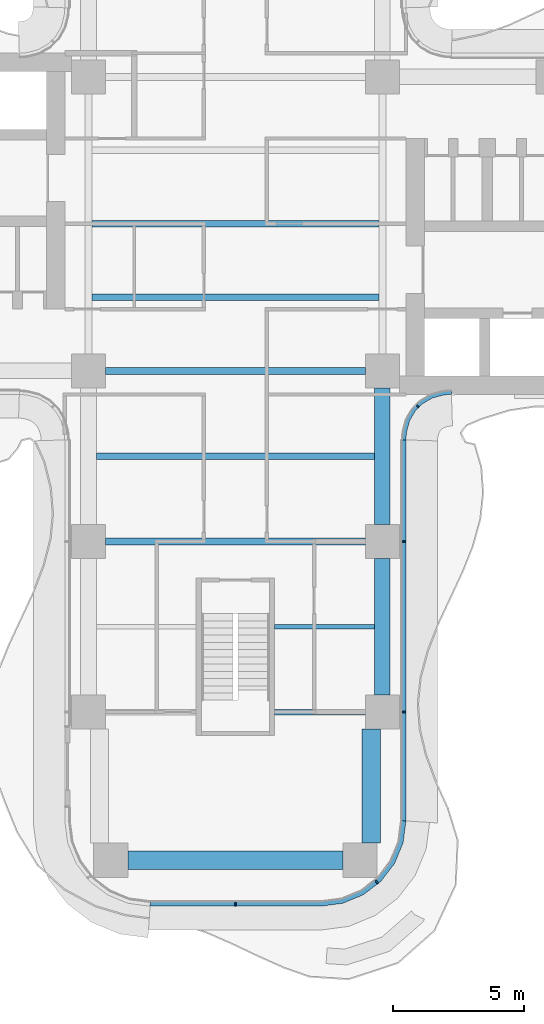
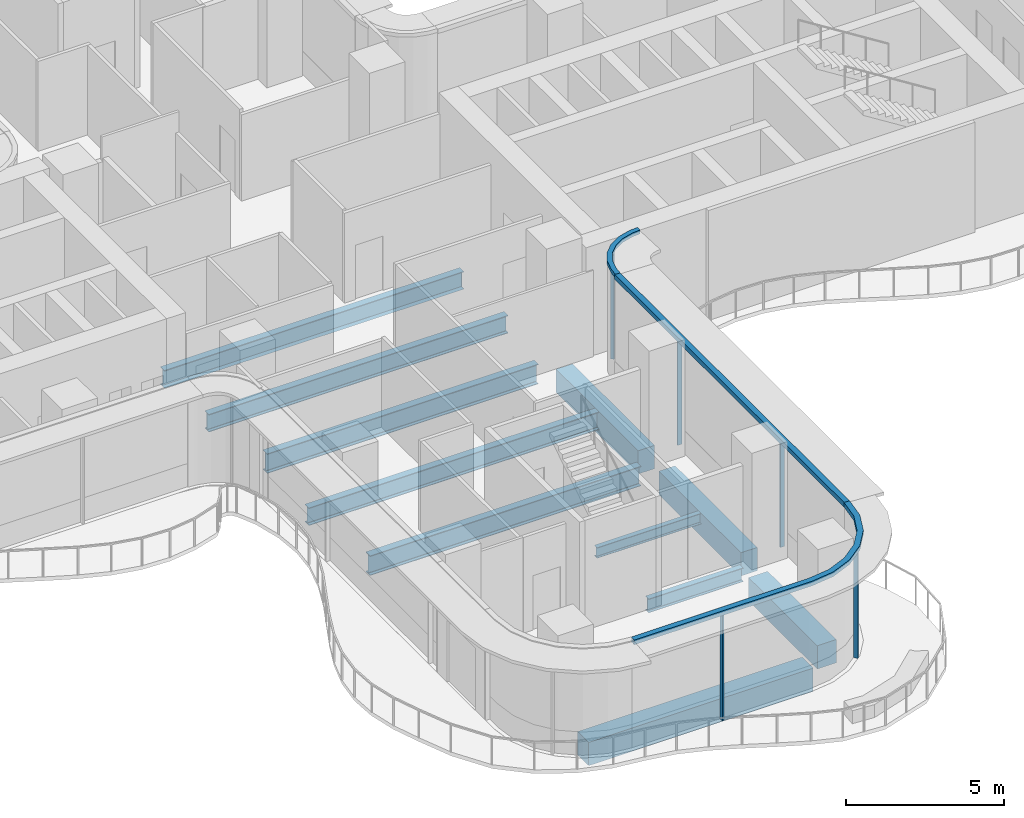
# One storey, part 5 of 21: 11 beams, 8 members, 3 elements without a shape of their own.
"""IFC4 building model written with IfcOpenShell, lengths in metres."""

from ifc_helpers import new_model, si_unit, direction, frame, origin, origin_2d, place, context, subcontext, project, spatial, polyline, rectangle, i_section, outline, extrude, source, transform, mapped, material, layer, layer_set, material_profile, profile_set, type_object, element, aggregate, save


model = new_model("IFC4")

# Units and contexts
model_context = context("Model", 3, precision=1e-05, world=origin(), true_north=direction((0.0, 1.0)))
body_context = subcontext(model_context, "Body", "Model", "MODEL_VIEW")
ifc_project = project(units=[si_unit("LENGTHUNIT", "METRE"), si_unit("AREAUNIT", "SQUARE_METRE"), si_unit("VOLUMEUNIT", "CUBIC_METRE"), si_unit("PLANEANGLEUNIT", "RADIAN"), si_unit("MASSUNIT", "GRAM", prefix="KILO")], contexts=[model_context])

# Site, building, storey
site_placement = place(None, origin())
site = spatial("IfcSite", under=ifc_project, at=site_placement, CompositionType="ELEMENT")
building_placement = place(site_placement, origin())
building = spatial("IfcBuilding", under=site, at=building_placement, Name="Trellis Farm Tower", CompositionType="ELEMENT")
storey_placement = place(building_placement, frame((0.0, 0.0, 147.0)))
storey = spatial("IfcBuildingStorey", under=building, at=storey_placement, Name="L31", CompositionType="ELEMENT", Elevation=147.0)

# Beams
ifc_material_1 = material(Name="Steel S355", Category="steel")
ifc_material_profile_1 = material_profile(ifc_material_1, i_section(OverallWidth=0.253662109375, OverallDepth=0.68359375, WebThickness=0.012451171875, FlangeThickness=0.021728515625, FilletRadius=0.01513671875, at=origin_2d()), Name="UB 686x254x140")
ifc_profile_set_1 = profile_set([ifc_material_profile_1], Name="Steel S355")
beam_type_1 = type_object("IfcBeamType", Name="UB 686x254x140 joist", PredefinedType="JOIST", material=ifc_profile_set_1)
shared_shape_1 = source(origin(), body_context, "Body", "SweptSolid", [
    extrude(i_section(OverallWidth=0.253662109375, OverallDepth=0.68359375, WebThickness=0.012451171875, FlangeThickness=0.021728515625, FilletRadius=0.01513671875, at=origin_2d()), origin(), (0.0, 0.0, 1.0), 10.93310546875),
])
for number, where, z_axis, x_axis, name in (
    (1, (-5.466552734375, -2.800048828125, -0.591796875), (1.0, 0.0, 0.0), (0.0, 1.0, 0.0), "Floor beam"),
    (2, (-5.466552734375, 0.0, -0.591796875), (1.0, 0.0, 0.0), (0.0, 1.0, 0.0), "Floor beam"),
):
    element("IfcBeam", number, at=place(storey_placement, frame(where, z_axis=z_axis, x_axis=x_axis)), inside=storey, type_object=beam_type_1, Name=name, PredefinedType="JOIST", context=body_context, shape_type="MappedRepresentation", body=[
        mapped(shared_shape_1, transform((0.0, 0.0, 0.0))),
    ])
ifc_material_profile_2 = material_profile(ifc_material_1, i_section(OverallWidth=0.177978515625, OverallDepth=0.406494140625, WebThickness=0.0078125, FlangeThickness=0.0126953125, FilletRadius=0.01025390625, at=origin_2d()), Name="UB 406x178x60")
ifc_profile_set_2 = profile_set([ifc_material_profile_2], Name="Steel S355")
beam_type_2 = type_object("IfcBeamType", Name="UB 406x178x60 joist", PredefinedType="JOIST", material=ifc_profile_set_2)
shared_shape_2 = source(origin(), body_context, "Body", "SweptSolid", [
    extrude(i_section(OverallWidth=0.177978515625, OverallDepth=0.406494140625, WebThickness=0.0078125, FlangeThickness=0.0126953125, FilletRadius=0.01025390625, at=origin_2d()), origin(), (0.0, 0.0, 1.0), 3.800048828125),
])
beam_1_placement = place(storey_placement, frame((1.5, -15.35009765625, -0.453125), z_axis=(1.0, 0.0, 0.0), x_axis=(0.0, 1.0, 0.0)))
element("IfcBeam", 3, at=beam_1_placement, inside=storey, type_object=beam_type_2, Name="Floor beam", PredefinedType="JOIST", context=body_context, shape_type="MappedRepresentation", body=[
    mapped(shared_shape_2, transform((0.0, 0.0, 0.0))),
])
shared_shape_3 = source(origin(), body_context, "Body", "SweptSolid", [
    extrude(i_section(OverallWidth=0.253662109375, OverallDepth=0.68359375, WebThickness=0.012451171875, FlangeThickness=0.021728515625, FilletRadius=0.01513671875, at=origin_2d()), origin(), (0.0, 0.0, 1.0), 10.60009765625),
])
beam_2_placement = place(storey_placement, frame((-5.300048828125, -8.85009765625, -0.591796875), z_axis=(1.0, 0.0, 0.0), x_axis=(0.0, 1.0, 0.0)))
element("IfcBeam", 4, at=beam_2_placement, inside=storey, type_object=beam_type_1, Name="Floor beam", PredefinedType="JOIST", context=body_context, shape_type="MappedRepresentation", body=[
    mapped(shared_shape_3, transform((0.0, 0.0, 0.0))),
])
ifc_material_profile_3 = material_profile(ifc_material_1, i_section(OverallWidth=0.209228515625, OverallDepth=0.533203125, WebThickness=0.010009765625, FlangeThickness=0.015625, FilletRadius=0.0126953125, at=origin_2d()), Name="UB 533x210x92")
ifc_profile_set_3 = profile_set([ifc_material_profile_3], Name="Steel S355")
beam_type_3 = type_object("IfcBeamType", Name="UB 533x210x92", PredefinedType="BEAM", material=ifc_profile_set_3)
shared_shape_4 = source(origin(), body_context, "Body", "SweptSolid", [
    extrude(i_section(OverallWidth=0.209228515625, OverallDepth=0.533203125, WebThickness=0.010009765625, FlangeThickness=0.015625, FilletRadius=0.0126953125, at=origin_2d()), origin(), (0.0, 0.0, 1.0), 3.449951171875),
])
beam_3_placement = place(storey_placement, frame((1.5, -18.60009765625, -0.5166015625), z_axis=(1.0, 0.0, 0.0), x_axis=(0.0, 1.0, 0.0)))
element("IfcBeam", 5, at=beam_3_placement, inside=storey, type_object=beam_type_3, Name="Girder", PredefinedType="BEAM", context=body_context, shape_type="MappedRepresentation", body=[
    mapped(shared_shape_4, transform((0.0, 0.0, 0.0))),
])
ifc_material_profile_4 = material_profile(ifc_material_1, i_section(OverallWidth=0.2666015625, OverallDepth=0.76220703125, WebThickness=0.014404296875, FlangeThickness=0.021484375, FilletRadius=0.0166015625, at=origin_2d()), Name="UB 762x267x173")
ifc_profile_set_4 = profile_set([ifc_material_profile_4], Name="Steel S355")
beam_type_4 = type_object("IfcBeamType", Name="UB 762x267x173", PredefinedType="BEAM", material=ifc_profile_set_4)
shared_shape_5 = source(origin(), body_context, "Body", "SweptSolid", [
    extrude(i_section(OverallWidth=0.2666015625, OverallDepth=0.76220703125, WebThickness=0.014404296875, FlangeThickness=0.021484375, FilletRadius=0.0166015625, at=origin_2d()), origin(), (0.0, 0.0, 1.0), 9.89990234375),
])
for number, where, z_axis, x_axis, name in (
    (6, (-4.949951171875, -12.10009765625, -0.631103515625), (1.0, 0.0, 0.0), (0.0, 1.0, 0.0), "Girder"),
    (7, (-4.949951171875, -5.60009765625, -0.631103515625), (1.0, 0.0, 0.0), (0.0, 1.0, 0.0), "Girder"),
):
    element("IfcBeam", number, at=place(storey_placement, frame(where, z_axis=z_axis, x_axis=x_axis)), inside=storey, type_object=beam_type_4, Name=name, PredefinedType="BEAM", context=body_context, shape_type="MappedRepresentation", body=[
        mapped(shared_shape_5, transform((0.0, 0.0, 0.0))),
    ])
ifc_material_2 = material(Name="Concrete C60/75", Category="concrete")
ifc_material_profile_5 = material_profile(ifc_material_2, rectangle(XDim=0.60009765625, YDim=0.89990234375, at=origin_2d()), Name="RC spandrel beam 600x900 C60/75")
ifc_profile_set_5 = profile_set([ifc_material_profile_5], Name="Concrete C60/75")
beam_type_5 = type_object("IfcBeamType", Name="RC spandrel beam 600x900 C60/75", PredefinedType="SPANDREL", material=ifc_profile_set_5)
shared_shape_6 = source(origin(), body_context, "Body", "SweptSolid", [
    extrude(rectangle(XDim=0.60009765625, YDim=0.89990234375, at=origin_2d()), origin(), (0.0, 0.0, 1.0), 5.199951171875),
])
for number, where, z_axis, x_axis, name in (
    (8, (5.60009765625, -17.949951171875, -0.699951171875), (0.0, 1.0, 0.0), (-1.0, 0.0, 0.0), "Girder"),
    (9, (5.60009765625, -11.449951171875, -0.699951171875), (0.0, 1.0, 0.0), (-1.0, 0.0, 0.0), "Girder"),
):
    element("IfcBeam", number, at=place(storey_placement, frame(where, z_axis=z_axis, x_axis=x_axis)), inside=storey, type_object=beam_type_5, Name=name, PredefinedType="SPANDREL", context=body_context, shape_type="MappedRepresentation", body=[
        mapped(shared_shape_6, transform((0.0, 0.0, 0.0))),
    ])
ifc_material_profile_6 = material_profile(ifc_material_2, rectangle(XDim=0.699951171875, YDim=0.89990234375, at=origin_2d()), Name="RC spandrel beam 700x900 C60/75")
ifc_profile_set_6 = profile_set([ifc_material_profile_6], Name="Concrete C60/75")
beam_type_6 = type_object("IfcBeamType", Name="RC spandrel beam 700x900 C60/75", PredefinedType="SPANDREL", material=ifc_profile_set_6)
shared_shape_7 = source(origin(), body_context, "Body", "SweptSolid", [
    extrude(rectangle(XDim=0.699951171875, YDim=0.89990234375, at=origin_2d()), origin(), (0.0, 0.0, 1.0), 4.35009765625),
])
beam_4_placement = place(storey_placement, frame((5.175048828125, -23.60009765625, -0.699951171875), z_axis=(0.0, 1.0, 0.0), x_axis=(-1.0, 0.0, 0.0)))
element("IfcBeam", 10, at=beam_4_placement, inside=storey, type_object=beam_type_6, Name="Girder", PredefinedType="SPANDREL", context=body_context, shape_type="MappedRepresentation", body=[
    mapped(shared_shape_7, transform((0.0, 0.0, 0.0))),
])
shared_shape_8 = source(origin(), body_context, "Body", "SweptSolid", [
    extrude(rectangle(XDim=0.699951171875, YDim=0.89990234375, at=origin_2d()), origin(), (0.0, 0.0, 1.0), 8.2001953125),
])
beam_5_placement = place(storey_placement, frame((-4.10009765625, -24.25, -0.699951171875), z_axis=(1.0, 0.0, 0.0), x_axis=(0.0, 1.0, 0.0)))
element("IfcBeam", 11, at=beam_5_placement, inside=storey, type_object=beam_type_6, Name="Girder", PredefinedType="SPANDREL", context=body_context, shape_type="MappedRepresentation", body=[
    mapped(shared_shape_8, transform((0.0, 0.0, 0.0))),
])

# Curtain wall, members
ifc_material_3 = material(Name="Aluminium and glass curtain wall", Category="aluminium")
ifc_layer_1 = layer(ifc_material_3, 0.18994140625)
ifc_layer_set_1 = layer_set([ifc_layer_1], Name="RIBBON CURTAIN WALL CW1")
curtain_wall_type_1 = type_object("IfcCurtainWallType", Name="RIBBON CURTAIN WALL CW1", PredefinedType="NOTDEFINED", material=ifc_layer_set_1)
placement_1 = place(storey_placement, origin())
curtain_wall_1 = element("IfcCurtainWall", 12, at=placement_1, inside=storey, type_object=curtain_wall_type_1, Name="CW1 004", PredefinedType="NOTDEFINED")
ifc_material_4 = material(Name="Aluminium extrusion 6063-T6", Category="aluminium")
ifc_material_profile_7 = material_profile(ifc_material_4, rectangle(XDim=0.06005859375, YDim=0.14990234375, at=origin_2d()), Name="MULLION 60x150")
ifc_profile_set_7 = profile_set([ifc_material_profile_7], Name="Aluminium extrusion 6063-T6")
member_type_1 = type_object("IfcMemberType", Name="CW1 MULLION 60x150", PredefinedType="MULLION", material=ifc_profile_set_7)
shared_shape_9 = source(origin(), body_context, "Body", "SweptSolid", [
    extrude(rectangle(XDim=0.06005859375, YDim=0.14990234375, at=origin_2d()), origin(), (0.0, 0.0, 1.0), 4.070068359375),
])
member_1_placement = place(storey_placement, frame((0.0, -25.925048828125, 0.0), z_axis=(0.0, 0.0, 1.0), x_axis=(1.0, 0.0, 0.0)))
member_1 = element("IfcMember", 13, at=member_1_placement, type_object=member_type_1, Name="MU1 004-01", PredefinedType="MULLION", context=body_context, shape_type="MappedRepresentation", body=[
    mapped(shared_shape_9, transform((0.0, 0.0, 0.0))),
])
member_2_placement = place(storey_placement, frame((5.385498046875, -25.078369140625, 0.0), z_axis=(0.0, 0.0, 1.0), x_axis=(0.793353340291, 0.608761429009, 0.0)))
member_2 = element("IfcMember", 14, at=member_2_placement, type_object=member_type_1, Name="MU1 004-02", PredefinedType="MULLION", context=body_context, shape_type="MappedRepresentation", body=[
    mapped(shared_shape_9, transform((0.0, 0.0, 0.0))),
])

curtain_wall_2 = element("IfcCurtainWall", 15, at=placement_1, inside=storey, type_object=curtain_wall_type_1, Name="CW1 005", PredefinedType="NOTDEFINED")
member_3_placement = place(storey_placement, frame((6.425048828125, -18.60009765625, 0.0), z_axis=(0.0, 0.0, 1.0), x_axis=(0.0, 1.0, 0.0)))
member_3 = element("IfcMember", 16, at=member_3_placement, type_object=member_type_1, Name="MU1 005-01", PredefinedType="MULLION", context=body_context, shape_type="MappedRepresentation", body=[
    mapped(shared_shape_9, transform((0.0, 0.0, 0.0))),
])
member_4_placement = place(storey_placement, frame((6.425048828125, -12.10009765625, 0.0), z_axis=(0.0, 0.0, 1.0), x_axis=(0.0, 1.0, 0.0)))
member_4 = element("IfcMember", 17, at=member_4_placement, type_object=member_type_1, Name="MU1 005-02", PredefinedType="MULLION", context=body_context, shape_type="MappedRepresentation", body=[
    mapped(shared_shape_9, transform((0.0, 0.0, 0.0))),
])

ifc_layer_2 = layer(ifc_material_3, 0.166015625)
ifc_layer_set_2 = layer_set([ifc_layer_2], Name="WINTER GARDEN CURTAIN WALL CW3")
curtain_wall_type_2 = type_object("IfcCurtainWallType", Name="WINTER GARDEN CURTAIN WALL CW3", PredefinedType="NOTDEFINED", material=ifc_layer_set_2)
curtain_wall_3 = element("IfcCurtainWall", 18, at=placement_1, inside=storey, type_object=curtain_wall_type_2, Name="CW3 002", PredefinedType="NOTDEFINED")
ifc_material_profile_8 = material_profile(ifc_material_4, rectangle(XDim=0.050048828125, YDim=0.1201171875, at=origin_2d()), Name="MULLION 50x120")
ifc_profile_set_8 = profile_set([ifc_material_profile_8], Name="Aluminium extrusion 6063-T6")
member_type_2 = type_object("IfcMemberType", Name="CW3 MULLION 50x120", PredefinedType="MULLION", material=ifc_profile_set_8)
shared_shape_10 = source(origin(), body_context, "Body", "SweptSolid", [
    extrude(rectangle(XDim=0.050048828125, YDim=0.1201171875, at=origin_2d()), origin(), (0.0, 0.0, 1.0), 4.10009765625),
])
member_5_placement = place(storey_placement, frame((6.953125, -6.953125, 0.0), z_axis=(0.0, 0.0, 1.0), x_axis=(0.707106781187, 0.707106781187, 0.0)))
member_5 = element("IfcMember", 19, at=member_5_placement, type_object=member_type_2, Name="MU3 002-01", PredefinedType="MULLION", context=body_context, shape_type="MappedRepresentation", body=[
    mapped(shared_shape_10, transform((0.0, 0.0, 0.0))),
])
ifc_layer_3 = layer(ifc_material_4, 0.169921875)
ifc_layer_set_3 = layer_set([ifc_layer_3], Name="Aluminium extrusion 6063-T6")
member_type_3 = type_object("IfcMemberType", Name="CW3 TRANSOM 170x150", PredefinedType="USERDEFINED", material=ifc_layer_set_3)
shared_shape_11 = source(origin(), body_context, "Body", "SweptSolid", [
    extrude(outline(polyline([(6.5, -8.2314453125), (6.513916015625, -8.01953125), (6.527587890625, -7.91552734375), (6.63671875, -7.508544921875), (6.846923828125, -7.144287109375), (7.144287109375, -6.846923828125), (7.508544921875, -6.63671875), (7.91552734375, -6.527587890625), (8.01953125, -6.513916015625), (8.2314453125, -6.5), (8.225830078125, -6.330078125), (8.0029296875, -6.3447265625), (7.88232421875, -6.360595703125), (7.44287109375, -6.478271484375), (7.0400390625, -6.7109375), (6.7109375, -7.0400390625), (6.478271484375, -7.44287109375), (6.360595703125, -7.88232421875), (6.3447265625, -8.0029296875), (6.330078125, -8.225830078125), (6.5, -8.2314453125)])), origin(), (0.0, 0.0, 1.0), 0.14990234375),
])
member_6_placement = place(storey_placement, frame((0.0, 0.0, 4.10009765625)))
member_6 = element("IfcMember", 20, at=member_6_placement, type_object=member_type_3, Name="TR3 002", ObjectType="TRANSOM", PredefinedType="USERDEFINED", context=body_context, shape_type="MappedRepresentation", body=[
    mapped(shared_shape_11, transform((0.0, 0.0, 0.0))),
])
aggregate(curtain_wall_3, [member_5, member_6])

# Member
ifc_layer_4 = layer(ifc_material_4, 0.199951171875)
ifc_layer_set_4 = layer_set([ifc_layer_4], Name="Aluminium extrusion 6063-T6")
member_type_4 = type_object("IfcMemberType", Name="CW1 TRANSOM 200x180", PredefinedType="USERDEFINED", material=ifc_layer_set_4)
shared_shape_12 = source(origin(), body_context, "Body", "SweptSolid", [
    extrude(outline(polyline([(6.5, -22.75), (6.5, -8.2314453125), (6.300048828125, -8.224853515625), (6.300048828125, -22.73681640625), (6.5, -22.75)])), origin(), (0.0, 0.0, 1.0), 0.179931640625),
])
placement_2 = place(storey_placement, frame((0.0, 0.0, 4.070068359375)))
member_7 = element("IfcMember", 21, at=placement_2, type_object=member_type_4, Name="TR1 005", ObjectType="TRANSOM", PredefinedType="USERDEFINED", context=body_context, shape_type="MappedRepresentation", body=[
    mapped(shared_shape_12, transform((0.0, 0.0, 0.0))),
])

aggregate(curtain_wall_2, [member_3, member_4, member_7])

shared_shape_13 = source(origin(), body_context, "Body", "SweptSolid", [
    extrude(outline(polyline([(-3.25, -26.0), (3.25, -26.0), (4.091064453125, -25.88916015625), (4.875, -25.564697265625), (5.548095703125, -25.048095703125), (6.064697265625, -24.375), (6.38916015625, -23.591064453125), (6.5, -22.75), (6.300048828125, -22.73681640625), (6.1943359375, -23.5390625), (5.889892578125, -24.274169921875), (5.405517578125, -24.905517578125), (4.774169921875, -25.389892578125), (4.0390625, -25.6943359375), (3.23681640625, -25.800048828125), (-3.23681640625, -25.800048828125), (-3.25, -26.0)])), origin(), (0.0, 0.0, 1.0), 0.179931640625),
])
member_8 = element("IfcMember", 22, at=placement_2, type_object=member_type_4, Name="TR1 004", ObjectType="TRANSOM", PredefinedType="USERDEFINED", context=body_context, shape_type="MappedRepresentation", body=[
    mapped(shared_shape_13, transform((0.0, 0.0, 0.0))),
])

aggregate(curtain_wall_1, [member_1, member_2, member_8])

save(model, "model.ifc")
